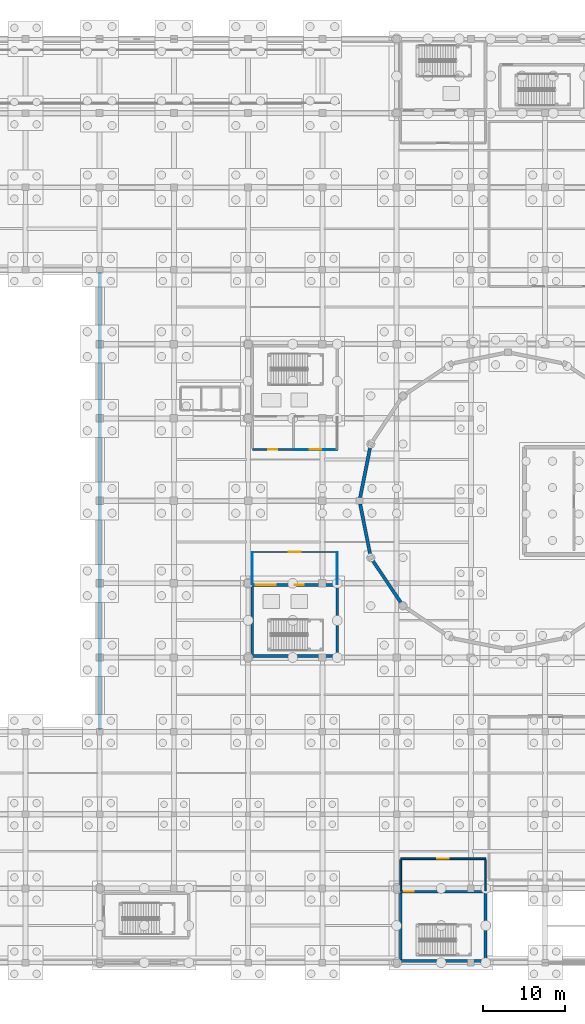
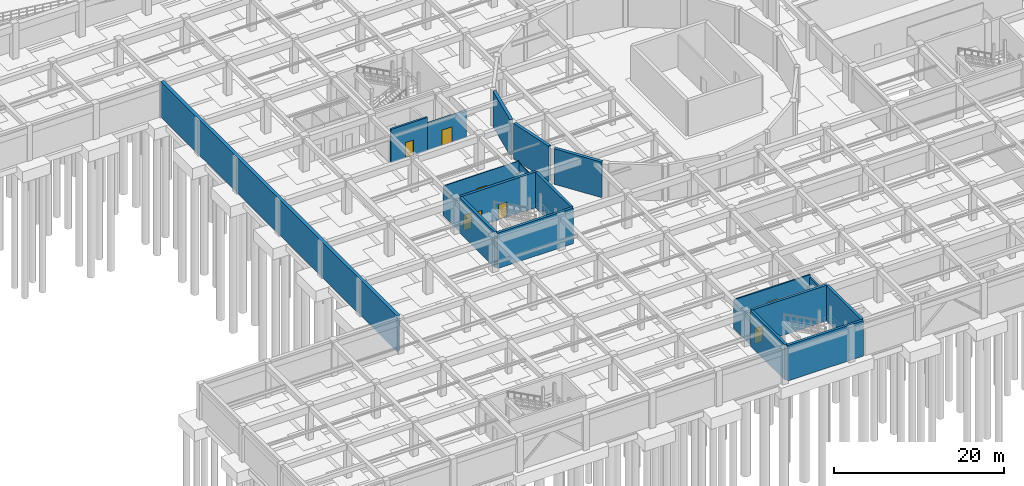
# One storey, part 43 of 62: 20 walls, 8 doors, 8 openings.
"""IFC4 building model written with IfcOpenShell, lengths in metres."""

from ifc_helpers import new_model, si_unit, direction, frame, frame_2d, origin, place, context, subcontext, project, spatial, rectangle, extrude, material, layer, layer_set, type_object, element, fill, save


model = new_model("IFC4")

# Units and contexts
model_context = context("Model", 3, precision=1e-05, world=origin(), true_north=direction((0.0, 1.0)))
body_context = subcontext(model_context, "Body", "Model", "MODEL_VIEW")
ifc_project = project(units=[si_unit("LENGTHUNIT", "METRE"), si_unit("AREAUNIT", "SQUARE_METRE"), si_unit("VOLUMEUNIT", "CUBIC_METRE"), si_unit("PLANEANGLEUNIT", "RADIAN"), si_unit("MASSUNIT", "GRAM", prefix="KILO")], contexts=[model_context])

# Site, building, storey
site_placement = place(None, origin())
site = spatial("IfcSite", under=ifc_project, at=site_placement, CompositionType="ELEMENT")
building_placement = place(site_placement, origin())
building = spatial("IfcBuilding", under=site, at=building_placement, Name="Miravela Opera House", CompositionType="ELEMENT")
storey_placement = place(building_placement, frame((0.0, 0.0, -5.10009765625)))
storey = spatial("IfcBuildingStorey", under=building, at=storey_placement, Name="B01", CompositionType="ELEMENT", Elevation=-5.10009765625)

# Wall, opening, door
ifc_material_1 = material(Name="Acoustic metal-stud gypsum partition")
ifc_layer_1 = layer(ifc_material_1, 0.090087890625)
ifc_layer_set_1 = layer_set([ifc_layer_1])
wall_type_1 = type_object("IfcWallType", Name="ARC-PT-090", PredefinedType="PARTITIONING", material=ifc_layer_set_1)
wall_1_placement = place(storey_placement, frame((50.5, 62.199951171875, 0.0), z_axis=(0.0, 0.0, 1.0), x_axis=(1.0, 0.0, 0.0)))
wall_1 = element("IfcWall", 1, at=wall_1_placement, inside=storey, type_object=wall_type_1, Name="Passenger Lift Lobby K1 B01 Partition South", PredefinedType="PARTITIONING", context=body_context, shape_type="SweptSolid", body=[
    extrude(rectangle(XDim=5.300048828125, YDim=0.090087890625, at=frame_2d((2.64990234375, 0.0))), origin(), (0.0, 0.0, 1.0), 3.9501953125),
])
opening_1_placement = place(wall_1_placement, frame((1.949951171875, 0.0, 0.0)))
opening_1 = element("IfcOpeningElement", 2, at=opening_1_placement, cuts=wall_1, Name="Opening FD-03", PredefinedType="OPENING", context=body_context, shape_type="SweptSolid", body=[
    extrude(rectangle(XDim=1.39990234375, YDim=2.199951171875, at=frame_2d((0.699951171875, 1.10009765625))), frame((0.0, 0.054931640625, 0.0), z_axis=(0.0, -1.0, 0.0), x_axis=(1.0, 0.0, 0.0)), (0.0, 0.0, 1.0), 0.110107421875),
])
ifc_material_2 = material(Name="Fire-rated lobby/archive double door")
door_type_1 = type_object("IfcDoorType", Name="ARC-FD-1400X2200", OperationType="NOTDEFINED", PredefinedType="DOOR", material=ifc_material_2)
door_1_placement = place(opening_1_placement, frame((1.39990234375, 0.0, 0.0), z_axis=(0.0, 0.0, 1.0), x_axis=(-1.0, 0.0, 0.0)))
door_1 = element("IfcDoor", 3, at=door_1_placement, inside=storey, type_object=door_type_1, Name="Passenger Lift Lobby K1 B01 Entry Door IDR-B01-0061", OperationType="DOUBLE_DOOR_SINGLE_SWING", OverallHeight=2.199951171875, OverallWidth=1.39990234375, PredefinedType="DOOR", context=body_context, shape_type="SweptSolid", body=[
    extrude(rectangle(XDim=1.39990234375, YDim=2.199951171875, at=frame_2d((0.699951171875, 1.10009765625))), frame((0.0, 0.02490234375, 0.0), z_axis=(0.0, -1.0, 0.0), x_axis=(1.0, 0.0, 0.0)), (0.0, 0.0, 1.0), 0.050048828125),
])
fill(opening_1, door_1)

ifc_material_3 = material(Name="Double-layer acoustic gypsum partition")
ifc_layer_2 = layer(ifc_material_3, 0.110107421875)
ifc_layer_set_2 = layer_set([ifc_layer_2])
wall_type_2 = type_object("IfcWallType", Name="ARC-PT-110", PredefinedType="PARTITIONING", material=ifc_layer_set_2)
wall_2_placement = place(storey_placement, frame((45.5, 49.800048828125, 0.0), z_axis=(0.0, 0.0, 1.0), x_axis=(1.0, 0.0, 0.0)))
wall_2 = element("IfcWall", 4, at=wall_2_placement, inside=storey, type_object=wall_type_2, Name="Passenger Lift Lobby K2 B01 Partition North", PredefinedType="PARTITIONING", context=body_context, shape_type="SweptSolid", body=[
    extrude(rectangle(XDim=10.300048828125, YDim=0.110107421875, at=frame_2d((5.14990234375, 0.0))), origin(), (0.0, 0.0, 1.0), 4.150146484375),
])
opening_2_placement = place(wall_2_placement, frame((4.449951171875, 0.0, 0.0)))
opening_2 = element("IfcOpeningElement", 5, at=opening_2_placement, cuts=wall_2, Name="Opening FD-03", PredefinedType="OPENING", context=body_context, shape_type="SweptSolid", body=[
    extrude(rectangle(XDim=1.39990234375, YDim=2.199951171875, at=frame_2d((0.699951171875, 1.10009765625))), frame((0.0, 0.06494140625, 0.0), z_axis=(0.0, -1.0, 0.0), x_axis=(1.0, 0.0, 0.0)), (0.0, 0.0, 1.0), 0.130126953125),
])
door_2_placement = place(opening_2_placement, origin())
door_2 = element("IfcDoor", 6, at=door_2_placement, inside=storey, type_object=door_type_1, Name="Passenger Lift Lobby K2 B01 Entry Door IDR-B01-0062", OperationType="DOUBLE_DOOR_SINGLE_SWING", OverallHeight=2.199951171875, OverallWidth=1.39990234375, PredefinedType="DOOR", context=body_context, shape_type="SweptSolid", body=[
    extrude(rectangle(XDim=1.39990234375, YDim=2.199951171875, at=frame_2d((0.699951171875, 1.10009765625))), frame((0.0, 0.02490234375, 0.0), z_axis=(0.0, -1.0, 0.0), x_axis=(1.0, 0.0, 0.0)), (0.0, 0.0, 1.0), 0.050048828125),
])
fill(opening_2, door_2)

# Walls
wall_3_placement = place(storey_placement, frame((45.5, 45.85498046875, 0.0), z_axis=(0.0, 0.0, 1.0), x_axis=(0.0, 1.0, 0.0)))
element("IfcWall", 7, at=wall_3_placement, inside=storey, type_object=wall_type_2, Name="Passenger Lift Lobby K2 B01 Partition West", PredefinedType="PARTITIONING", context=body_context, shape_type="SweptSolid", body=[
    extrude(rectangle(XDim=3.89013671875, YDim=0.110107421875, at=frame_2d((1.945068359375, 0.0))), origin(), (0.0, 0.0, 1.0), 3.9501953125),
])
wall_4_placement = place(storey_placement, frame((55.800048828125, 45.85498046875, 0.0), z_axis=(0.0, 0.0, 1.0), x_axis=(0.0, 1.0, 0.0)))
element("IfcWall", 8, at=wall_4_placement, inside=storey, type_object=wall_type_2, Name="Passenger Lift Lobby K2 B01 Partition East", PredefinedType="PARTITIONING", context=body_context, shape_type="SweptSolid", body=[
    extrude(rectangle(XDim=3.89013671875, YDim=0.110107421875, at=frame_2d((1.945068359375, 0.0))), origin(), (0.0, 0.0, 1.0), 3.900146484375),
])

# Wall, opening, door
ifc_material_4 = material(Name="Corridor fire-resisting masonry partition", Category="masonry")
ifc_layer_3 = layer(ifc_material_4, 0.18994140625)
ifc_layer_set_3 = layer_set([ifc_layer_3])
wall_type_3 = type_object("IfcWallType", Name="ARC-PT-190", PredefinedType="PARTITIONING", material=ifc_layer_set_3)
wall_5_placement = place(storey_placement, frame((63.5, 12.60009765625, 0.0), z_axis=(0.0, 0.0, 1.0), x_axis=(1.0, 0.0, 0.0)))
wall_5 = element("IfcWall", 9, at=wall_5_placement, inside=storey, type_object=wall_type_3, Name="Passenger Lift Lobby K6 B01 Partition North", PredefinedType="PARTITIONING", context=body_context, shape_type="SweptSolid", body=[
    extrude(rectangle(XDim=10.300048828125, YDim=0.18994140625, at=frame_2d((5.14990234375, 0.0))), origin(), (0.0, 0.0, 1.0), 4.110107421875),
])
opening_3_placement = place(wall_5_placement, frame((4.449951171875, 0.0, 0.0)))
opening_3 = element("IfcOpeningElement", 10, at=opening_3_placement, cuts=wall_5, Name="Opening FD-03", PredefinedType="OPENING", context=body_context, shape_type="SweptSolid", body=[
    extrude(rectangle(XDim=1.39990234375, YDim=2.199951171875, at=frame_2d((0.699951171875, 1.10009765625))), frame((0.0, 0.10498046875, 0.0), z_axis=(0.0, -1.0, 0.0), x_axis=(1.0, 0.0, 0.0)), (0.0, 0.0, 1.0), 0.2099609375),
])
door_3_placement = place(opening_3_placement, origin())
door_3 = element("IfcDoor", 11, at=door_3_placement, inside=storey, type_object=door_type_1, Name="Passenger Lift Lobby K6 B01 Entry Door IDR-B01-0067", OperationType="DOUBLE_DOOR_SINGLE_SWING", OverallHeight=2.199951171875, OverallWidth=1.39990234375, PredefinedType="DOOR", context=body_context, shape_type="SweptSolid", body=[
    extrude(rectangle(XDim=1.39990234375, YDim=2.199951171875, at=frame_2d((0.699951171875, 1.10009765625))), frame((0.0, 0.02490234375, 0.0), z_axis=(0.0, -1.0, 0.0), x_axis=(1.0, 0.0, 0.0)), (0.0, 0.0, 1.0), 0.050048828125),
])
fill(opening_3, door_3)

# Walls
wall_6_placement = place(storey_placement, frame((63.5, 8.695068359375, 0.0), z_axis=(0.0, 0.0, 1.0), x_axis=(0.0, 1.0, 0.0)))
element("IfcWall", 12, at=wall_6_placement, inside=storey, type_object=wall_type_3, Name="Passenger Lift Lobby K6 B01 Partition West", PredefinedType="PARTITIONING", context=body_context, shape_type="SweptSolid", body=[
    extrude(rectangle(XDim=3.809814453125, YDim=0.18994140625, at=frame_2d((1.90478515625, 0.0))), origin(), (0.0, 0.0, 1.0), 4.010009765625),
])
wall_7_placement = place(storey_placement, frame((73.800048828125, 8.695068359375, 0.0), z_axis=(0.0, 0.0, 1.0), x_axis=(0.0, 1.0, 0.0)))
element("IfcWall", 13, at=wall_7_placement, inside=storey, type_object=wall_type_3, Name="Passenger Lift Lobby K6 B01 Partition East", PredefinedType="PARTITIONING", context=body_context, shape_type="SweptSolid", body=[
    extrude(rectangle(XDim=3.809814453125, YDim=0.18994140625, at=frame_2d((1.90478515625, 0.0))), origin(), (0.0, 0.0, 1.0), 3.760009765625),
])

# Wall, opening, door
ifc_material_5 = material(Name="Firefighting lobby compartment wall")
ifc_layer_4 = layer(ifc_material_5, 0.25)
ifc_layer_set_4 = layer_set([ifc_layer_4])
wall_type_4 = type_object("IfcWallType", Name="ARC-PT-220", PredefinedType="PARTITIONING", material=ifc_layer_set_4)
wall_8_placement = place(storey_placement, frame((45.5, 62.199951171875, 0.0), z_axis=(0.0, 0.0, 1.0), x_axis=(1.0, 0.0, 0.0)))
wall_8 = element("IfcWall", 14, at=wall_8_placement, inside=storey, type_object=wall_type_4, Name="Firefighting Lobby K1 B01 Partition South", PredefinedType="PARTITIONING", context=body_context, shape_type="SweptSolid", body=[
    extrude(rectangle(XDim=5.0, YDim=0.25, at=frame_2d((2.5, 0.0))), origin(), (0.0, 0.0, 1.0), 4.780029296875),
])
opening_4_placement = place(wall_8_placement, frame((1.949951171875, 0.0, 0.0)))
opening_4 = element("IfcOpeningElement", 15, at=opening_4_placement, cuts=wall_8, Name="Opening FD-01", PredefinedType="OPENING", context=body_context, shape_type="SweptSolid", body=[
    extrude(rectangle(XDim=1.10009765625, YDim=2.199951171875, at=frame_2d((0.550048828125, 1.10009765625))), frame((0.0, 0.135009765625, 0.0), z_axis=(0.0, -1.0, 0.0), x_axis=(1.0, 0.0, 0.0)), (0.0, 0.0, 1.0), 0.27001953125),
])
ifc_material_6 = material(Name="Fire-rated steel/hardwood exit stair door", Category="steel")
door_type_2 = type_object("IfcDoorType", Name="ARC-FD-1100X2200", OperationType="NOTDEFINED", PredefinedType="DOOR", material=ifc_material_6)
door_4_placement = place(opening_4_placement, frame((1.10009765625, 0.0, 0.0), z_axis=(0.0, 0.0, 1.0), x_axis=(-1.0, 0.0, 0.0)))
door_4 = element("IfcDoor", 16, at=door_4_placement, inside=storey, type_object=door_type_2, Name="Firefighting Lobby K1 B01 Entry Door IDR-B01-0060", OperationType="SINGLE_SWING_LEFT", OverallHeight=2.199951171875, OverallWidth=1.10009765625, PredefinedType="DOOR", context=body_context, shape_type="SweptSolid", body=[
    extrude(rectangle(XDim=1.10009765625, YDim=2.199951171875, at=frame_2d((0.550048828125, 1.10009765625))), frame((0.0, 0.02490234375, 0.0), z_axis=(0.0, -1.0, 0.0), x_axis=(1.0, 0.0, 0.0)), (0.0, 0.0, 1.0), 0.050048828125),
])
fill(opening_4, door_4)

# Wall
ifc_material_7 = material(Name="Concrete C40/50", Category="concrete")
ifc_layer_5 = layer(ifc_material_7, 0.35009765625)
ifc_layer_set_5 = layer_set([ifc_layer_5])
wall_type_5 = type_object("IfcWallType", Name="STR-WALL-CORE-350", PredefinedType="SHEAR", material=ifc_layer_set_5)
wall_9_placement = place(storey_placement, frame((45.5, 37.199951171875, 0.0), z_axis=(0.0, 0.0, 1.0), x_axis=(1.0, 0.0, 0.0)))
element("IfcWall", 17, at=wall_9_placement, inside=storey, type_object=wall_type_5, Name="Core K2 Shear Wall South (B01)", PredefinedType="SHEAR", context=body_context, shape_type="SweptSolid", body=[
    extrude(rectangle(XDim=10.300048828125, YDim=0.35009765625, at=frame_2d((5.14990234375, 0.0))), origin(), (0.0, 0.0, 1.0), 5.10009765625),
])

# Wall, openings, doors
wall_10_placement = place(storey_placement, frame((45.5, 45.800048828125, 0.0), z_axis=(0.0, 0.0, 1.0), x_axis=(1.0, 0.0, 0.0)))
wall_10 = element("IfcWall", 18, at=wall_10_placement, inside=storey, type_object=wall_type_5, Name="Core K2 Shear Wall North (B01)", PredefinedType="SHEAR", context=body_context, shape_type="SweptSolid", body=[
    extrude(rectangle(XDim=10.300048828125, YDim=0.35009765625, at=frame_2d((5.14990234375, 0.0))), origin(), (0.0, 0.0, 1.0), 5.10009765625),
])
opening_5_placement = place(wall_10_placement, frame((0.449951171875, 0.0, 0.0)))
opening_5 = element("IfcOpeningElement", 19, at=opening_5_placement, cuts=wall_10, Name="Opening FD-01", PredefinedType="OPENING", context=body_context, shape_type="SweptSolid", body=[
    extrude(rectangle(XDim=1.10009765625, YDim=2.199951171875, at=frame_2d((0.550048828125, 1.10009765625))), frame((0.0, 0.18505859375, 0.0), z_axis=(0.0, -1.0, 0.0), x_axis=(1.0, 0.0, 0.0)), (0.0, 0.0, 1.0), 0.3701171875),
])
opening_6_placement = place(wall_10_placement, frame((1.739990234375, 0.0, 0.0)))
opening_6 = element("IfcOpeningElement", 20, at=opening_6_placement, cuts=wall_10, Name="Opening LD-02", PredefinedType="OPENING", context=body_context, shape_type="SweptSolid", body=[
    extrude(rectangle(XDim=1.1201171875, YDim=2.159912109375, at=frame_2d((0.56005859375, 1.080078125))), frame((0.0, 0.18505859375, 0.0), z_axis=(0.0, -1.0, 0.0), x_axis=(1.0, 0.0, 0.0)), (0.0, 0.0, 1.0), 0.3701171875),
])
opening_7_placement = place(wall_10_placement, frame((5.139892578125, 0.0, 0.0)))
opening_7 = element("IfcOpeningElement", 21, at=opening_7_placement, cuts=wall_10, Name="Opening LD-02", PredefinedType="OPENING", context=body_context, shape_type="SweptSolid", body=[
    extrude(rectangle(XDim=1.1201171875, YDim=2.159912109375, at=frame_2d((0.56005859375, 1.080078125))), frame((0.0, 0.18505859375, 0.0), z_axis=(0.0, -1.0, 0.0), x_axis=(1.0, 0.0, 0.0)), (0.0, 0.0, 1.0), 0.3701171875),
])
door_5_placement = place(opening_5_placement, frame((1.10009765625, 0.0, 0.0), z_axis=(0.0, 0.0, 1.0), x_axis=(-1.0, 0.0, 0.0)))
door_5 = element("IfcDoor", 22, at=door_5_placement, inside=storey, type_object=door_type_2, Name="Exit Stair ST-02 Rated Door (B01) IDR-B01-0008", OperationType="SINGLE_SWING_RIGHT", OverallHeight=2.199951171875, OverallWidth=1.10009765625, PredefinedType="DOOR", context=body_context, shape_type="SweptSolid", body=[
    extrude(rectangle(XDim=1.10009765625, YDim=2.199951171875, at=frame_2d((0.550048828125, 1.10009765625))), frame((0.0, 0.02490234375, 0.0), z_axis=(0.0, -1.0, 0.0), x_axis=(1.0, 0.0, 0.0)), (0.0, 0.0, 1.0), 0.050048828125),
])
fill(opening_5, door_5)
ifc_material_8 = material(Name="Brushed stainless and bronze fire-rated lift landing door")
door_type_3 = type_object("IfcDoorType", Name="ARC-LD-PAX-1100X2150", OperationType="SLIDING_TO_LEFT", PredefinedType="DOOR", material=ifc_material_8)
door_6_placement = place(opening_6_placement, origin())
door_6 = element("IfcDoor", 23, at=door_6_placement, inside=storey, type_object=door_type_3, Name="Lift Landing Door PL-02 (B01)", OperationType="SLIDING_TO_LEFT", OverallHeight=2.159912109375, OverallWidth=1.1201171875, PredefinedType="DOOR", context=body_context, shape_type="SweptSolid", body=[
    extrude(rectangle(XDim=1.1201171875, YDim=2.159912109375, at=frame_2d((0.56005859375, 1.080078125))), frame((0.0, 0.02490234375, 0.0), z_axis=(0.0, -1.0, 0.0), x_axis=(1.0, 0.0, 0.0)), (0.0, 0.0, 1.0), 0.050048828125),
])
fill(opening_6, door_6)
door_7_placement = place(opening_7_placement, origin())
door_7 = element("IfcDoor", 24, at=door_7_placement, inside=storey, type_object=door_type_3, Name="Lift Landing Door PL-03 (B01)", OperationType="SLIDING_TO_LEFT", OverallHeight=2.159912109375, OverallWidth=1.1201171875, PredefinedType="DOOR", context=body_context, shape_type="SweptSolid", body=[
    extrude(rectangle(XDim=1.1201171875, YDim=2.159912109375, at=frame_2d((0.56005859375, 1.080078125))), frame((0.0, 0.02490234375, 0.0), z_axis=(0.0, -1.0, 0.0), x_axis=(1.0, 0.0, 0.0)), (0.0, 0.0, 1.0), 0.050048828125),
])
fill(opening_7, door_7)

# Walls
for number, where, z_axis, x_axis, name in (
    (25, (45.5, 37.375, 0.0), (0.0, 0.0, 1.0), (0.0, 1.0, 0.0), "Core K2 Shear Wall West (B01)"),
    (26, (55.800048828125, 37.375, 0.0), (0.0, 0.0, 1.0), (0.0, 1.0, 0.0), "Core K2 Shear Wall East (B01)"),
):
    element("IfcWall", number, at=place(storey_placement, frame(where, z_axis=z_axis, x_axis=x_axis)), inside=storey, type_object=wall_type_5, Name=name, PredefinedType="SHEAR", context=body_context, shape_type="SweptSolid", body=[
        extrude(rectangle(XDim=8.25, YDim=0.35009765625, at=frame_2d((4.125, 0.0))), origin(), (0.0, 0.0, 1.0), 5.10009765625),
    ])
wall_11_placement = place(storey_placement, frame((63.5, 0.199951171875, 0.0), z_axis=(0.0, 0.0, 1.0), x_axis=(1.0, 0.0, 0.0)))
element("IfcWall", 27, at=wall_11_placement, inside=storey, type_object=wall_type_5, Name="Core K6 Shear Wall South (B01)", PredefinedType="SHEAR", context=body_context, shape_type="SweptSolid", body=[
    extrude(rectangle(XDim=10.300048828125, YDim=0.35009765625, at=frame_2d((5.14990234375, 0.0))), origin(), (0.0, 0.0, 1.0), 5.10009765625),
])

# Wall, opening, door
wall_12_placement = place(storey_placement, frame((63.5, 8.60009765625, 0.0), z_axis=(0.0, 0.0, 1.0), x_axis=(1.0, 0.0, 0.0)))
wall_12 = element("IfcWall", 28, at=wall_12_placement, inside=storey, type_object=wall_type_5, Name="Core K6 Shear Wall North (B01)", PredefinedType="SHEAR", context=body_context, shape_type="SweptSolid", body=[
    extrude(rectangle(XDim=10.300048828125, YDim=0.35009765625, at=frame_2d((5.14990234375, 0.0))), origin(), (0.0, 0.0, 1.0), 5.10009765625),
])
opening_8_placement = place(wall_12_placement, frame((0.449951171875, 0.0, 0.0)))
opening_8 = element("IfcOpeningElement", 29, at=opening_8_placement, cuts=wall_12, Name="Opening FD-01", PredefinedType="OPENING", context=body_context, shape_type="SweptSolid", body=[
    extrude(rectangle(XDim=1.10009765625, YDim=2.199951171875, at=frame_2d((0.550048828125, 1.10009765625))), frame((0.0, 0.18505859375, 0.0), z_axis=(0.0, -1.0, 0.0), x_axis=(1.0, 0.0, 0.0)), (0.0, 0.0, 1.0), 0.3701171875),
])
door_8_placement = place(opening_8_placement, frame((1.10009765625, 0.0, 0.0), z_axis=(0.0, 0.0, 1.0), x_axis=(-1.0, 0.0, 0.0)))
door_8 = element("IfcDoor", 30, at=door_8_placement, inside=storey, type_object=door_type_2, Name="Exit Stair ST-06 Rated Door (B01) IDR-B01-0036", OperationType="SINGLE_SWING_RIGHT", OverallHeight=2.199951171875, OverallWidth=1.10009765625, PredefinedType="DOOR", context=body_context, shape_type="SweptSolid", body=[
    extrude(rectangle(XDim=1.10009765625, YDim=2.199951171875, at=frame_2d((0.550048828125, 1.10009765625))), frame((0.0, 0.02490234375, 0.0), z_axis=(0.0, -1.0, 0.0), x_axis=(1.0, 0.0, 0.0)), (0.0, 0.0, 1.0), 0.050048828125),
])
fill(opening_8, door_8)

# Walls
for number, where, z_axis, x_axis, name in (
    (31, (63.5, 0.375, 0.0), (0.0, 0.0, 1.0), (0.0, 1.0, 0.0), "Core K6 Shear Wall West (B01)"),
    (32, (73.800048828125, 0.375, 0.0), (0.0, 0.0, 1.0), (0.0, 1.0, 0.0), "Core K6 Shear Wall East (B01)"),
):
    element("IfcWall", number, at=place(storey_placement, frame(where, z_axis=z_axis, x_axis=x_axis)), inside=storey, type_object=wall_type_5, Name=name, PredefinedType="SHEAR", context=body_context, shape_type="SweptSolid", body=[
        extrude(rectangle(XDim=8.050048828125, YDim=0.35009765625, at=frame_2d((4.02490234375, 0.0))), origin(), (0.0, 0.0, 1.0), 5.10009765625),
    ])
ifc_layer_6 = layer(ifc_material_7, 0.39990234375)
ifc_layer_set_6 = layer_set([ifc_layer_6])
wall_type_6 = type_object("IfcWallType", Name="STR-WALL-DRUM-400", PredefinedType="SHEAR", material=ifc_layer_set_6)
for number, where, z_axis, x_axis, name in (
    (33, (59.792236328125, 62.49609375, 0.0), (0.0, 0.0, 1.0), (-0.195127752786, -0.980777834218, 0.0), "Auditorium Drum Shear Wall B01 Seg 8"),
    (34, (58.577880859375, 55.607666015625, 0.0), (0.0, 0.0, 1.0), (0.195127752786, -0.980777834218, 0.0), "Auditorium Drum Shear Wall B01 Seg 9"),
):
    element("IfcWall", number, at=place(storey_placement, frame(where, z_axis=z_axis, x_axis=x_axis)), inside=storey, type_object=wall_type_6, Name=name, PredefinedType="SHEAR", context=body_context, shape_type="SweptSolid", body=[
        extrude(rectangle(XDim=6.223388671875, YDim=0.39990234375, at=frame_2d((3.11181640625, 0.0))), origin(), (0.0, 0.0, 1.0), 5.10009765625),
    ])
wall_13_placement = place(storey_placement, frame((60.09228515625, 48.779052734375, 0.0), z_axis=(0.0, 0.0, 1.0), x_axis=(0.555587101324, -0.831458341015, 0.0)))
element("IfcWall", 35, at=wall_13_placement, inside=storey, type_object=wall_type_6, Name="Auditorium Drum Shear Wall B01 Seg 10", PredefinedType="SHEAR", context=body_context, shape_type="SweptSolid", body=[
    extrude(rectangle(XDim=6.22314453125, YDim=0.39990234375, at=frame_2d((3.111572265625, 0.0))), origin(), (0.0, 0.0, 1.0), 5.10009765625),
])
ifc_layer_7 = layer(ifc_material_7, 0.449951171875)
ifc_layer_set_7 = layer_set([ifc_layer_7])
wall_type_7 = type_object("IfcWallType", Name="STR-WALL-RET-450", PredefinedType="SOLIDWALL", material=ifc_layer_set_7)
wall_14_placement = place(storey_placement, frame((27.0, 28.22509765625, 0.0), z_axis=(0.0, 0.0, 1.0), x_axis=(0.0, 1.0, 0.0)))
element("IfcWall", 36, at=wall_14_placement, inside=storey, type_object=wall_type_7, Name="Basement Retaining Wall B01-RET-FW", PredefinedType="SOLIDWALL", context=body_context, shape_type="SweptSolid", body=[
    extrude(rectangle(XDim=55.5498046875, YDim=0.449951171875, at=frame_2d((27.77490234375, 0.0))), origin(), (0.0, 0.0, 1.0), 5.10009765625),
])

save(model, "model.ifc")
